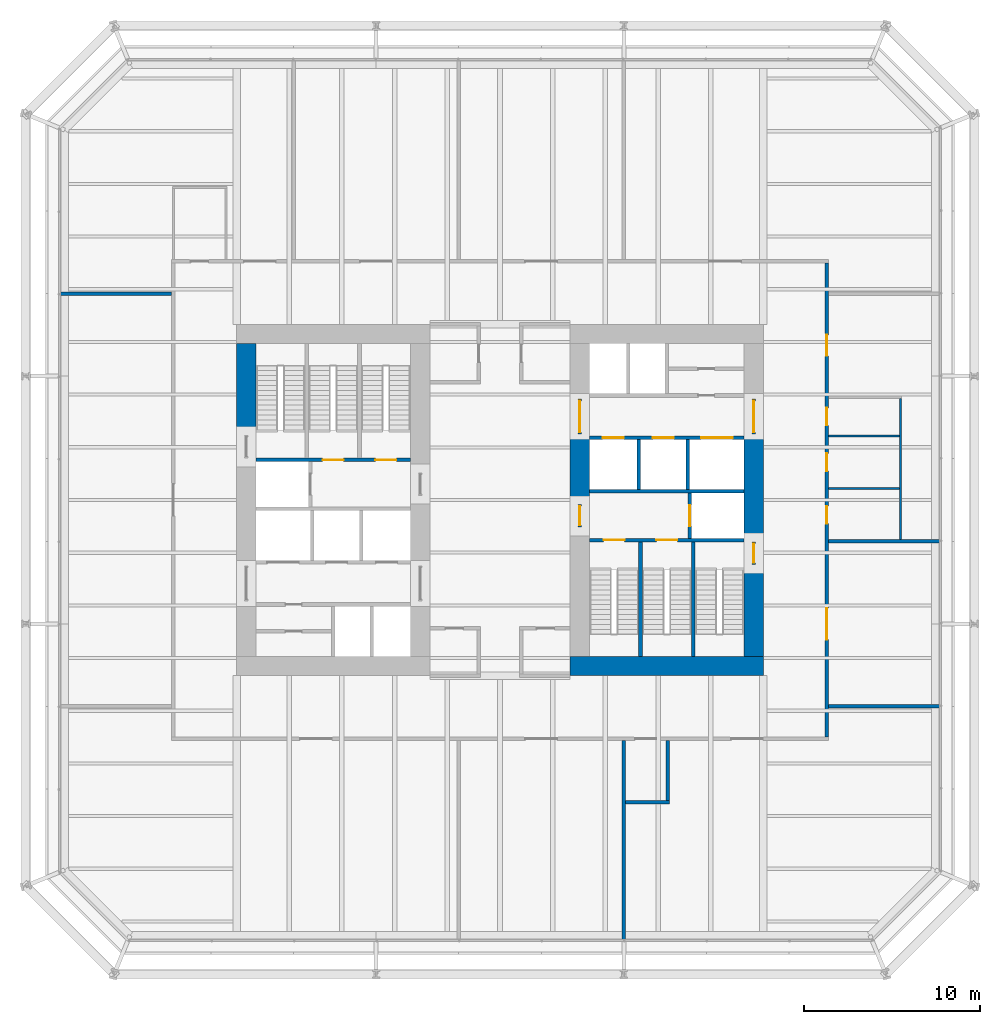
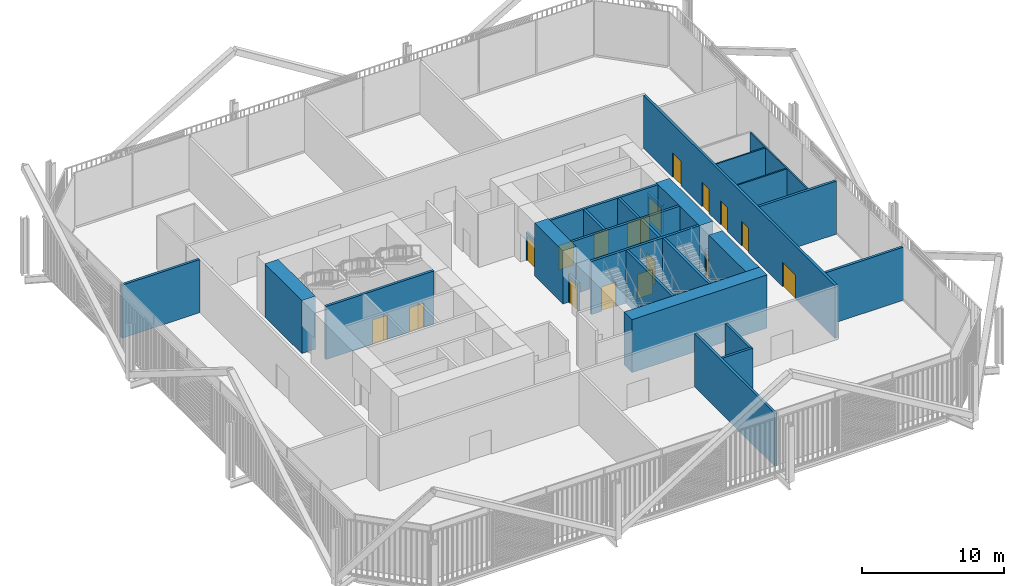
# One storey, part 19 of 22: 28 walls, 17 doors, 17 openings.
"""IFC4 building model written with IfcOpenShell, lengths in metres."""

from ifc_helpers import new_model, si_unit, direction, frame, frame_2d, origin, place, context, subcontext, project, spatial, rectangle, extrude, material, layer, layer_set, type_object, element, fill, save


model = new_model("IFC4")

# Units and contexts
model_context = context("Model", 3, precision=1e-05, world=origin(), true_north=direction((0.0, 1.0)))
body_context = subcontext(model_context, "Body", "Model", "MODEL_VIEW")
ifc_project = project(units=[si_unit("LENGTHUNIT", "METRE"), si_unit("AREAUNIT", "SQUARE_METRE"), si_unit("VOLUMEUNIT", "CUBIC_METRE"), si_unit("PLANEANGLEUNIT", "RADIAN"), si_unit("MASSUNIT", "GRAM", prefix="KILO")], contexts=[model_context])

# Site, building, storey
site_placement = place(None, origin())
site = spatial("IfcSite", under=ifc_project, at=site_placement, CompositionType="ELEMENT")
building_placement = place(site_placement, origin())
building = spatial("IfcBuilding", under=site, at=building_placement, Name="Millrace Tower", CompositionType="ELEMENT")
storey_placement = place(building_placement, frame((0.0, 0.0, 35.300048828125)))
storey = spatial("IfcBuildingStorey", under=building, at=storey_placement, Name="L08", CompositionType="ELEMENT", Elevation=35.300048828125)

# Walls
ifc_material_1 = material(Name="Concrete C80", Category="concrete")
ifc_layer_1 = layer(ifc_material_1, 1.10009765625)
ifc_layer_set_1 = layer_set([ifc_layer_1], Name="Concrete C80")
wall_type_1 = type_object("IfcWallType", Name="Core wall 1100 Concrete C80", PredefinedType="SHEAR", material=ifc_layer_set_1)
wall_1_placement = place(storey_placement, frame((-14.449951171875, 3.679931640625, 0.0), z_axis=(0.0, 0.0, 1.0), x_axis=(0.0, 1.0, 0.0)))
element("IfcWall", 1, at=wall_1_placement, inside=storey, type_object=wall_type_1, Name="Core wall W L08", PredefinedType="SHEAR", context=body_context, shape_type="SweptSolid", body=[
    extrude(rectangle(XDim=5.219970703125, YDim=1.10009765625, at=frame_2d((2.60986328125, 0.0))), origin(), (0.0, 0.0, 1.0), 4.574951171875),
])
wall_2_placement = place(storey_placement, frame((15.0, -9.449951171875, 0.0), z_axis=(0.0, 0.0, 1.0), x_axis=(-1.0, 0.0, 0.0)))
element("IfcWall", 2, at=wall_2_placement, inside=storey, type_object=wall_type_1, Name="Core wall E L08", PredefinedType="SHEAR", context=body_context, shape_type="SweptSolid", body=[
    extrude(rectangle(XDim=11.0, YDim=1.10009765625, at=frame_2d((5.5, 0.0))), origin(), (0.0, 0.0, 1.0), 4.574951171875),
])
wall_3_placement = place(storey_placement, frame((14.449951171875, 3.75, 0.0), z_axis=(0.0, 0.0, 1.0), x_axis=(0.0, -1.0, 0.0)))
element("IfcWall", 3, at=wall_3_placement, inside=storey, type_object=wall_type_1, Name="Core wall E L08", PredefinedType="SHEAR", context=body_context, shape_type="SweptSolid", body=[
    extrude(rectangle(XDim=6.1298828125, YDim=1.10009765625, at=frame_2d((3.06494140625, 0.0))), origin(), (0.0, 0.0, 1.0), 4.574951171875),
])
wall_4_placement = place(storey_placement, frame((14.449951171875, -3.679931640625, 0.0), z_axis=(0.0, 0.0, 1.0), x_axis=(0.0, -1.0, 0.0)))
element("IfcWall", 4, at=wall_4_placement, inside=storey, type_object=wall_type_1, Name="Core wall E L08", PredefinedType="SHEAR", context=body_context, shape_type="SweptSolid", body=[
    extrude(rectangle(XDim=5.219970703125, YDim=1.10009765625, at=frame_2d((2.60986328125, 0.0))), origin(), (0.0, 0.0, 1.0), 4.574951171875),
])
wall_5_placement = place(storey_placement, frame((4.550048828125, 3.75, 0.0), z_axis=(0.0, 0.0, 1.0), x_axis=(0.0, -1.0, 0.0)))
element("IfcWall", 5, at=wall_5_placement, inside=storey, type_object=wall_type_1, Name="Core wall E L08", PredefinedType="SHEAR", context=body_context, shape_type="SweptSolid", body=[
    extrude(rectangle(XDim=4.0, YDim=1.10009765625, at=frame_2d((2.0, 0.0))), origin(), (0.0, 0.0, 1.0), 4.574951171875),
])
ifc_material_2 = material(Name="Masonry partition, fire-rated", Category="masonry")
ifc_layer_2 = layer(ifc_material_2, 0.199951171875)
ifc_layer_set_2 = layer_set([ifc_layer_2], Name="Masonry partition, fire-rated")
wall_type_2 = type_object("IfcWallType", Name="Corridor wall 200", PredefinedType="PARTITIONING", material=ifc_layer_set_2)
wall_6_placement = place(storey_placement, frame((7.14990234375, -17.199951171875, 0.0), z_axis=(0.0, 0.0, 1.0), x_axis=(1.0, 0.0, 0.0)))
element("IfcWall", 6, at=wall_6_placement, inside=storey, type_object=wall_type_2, Name="Corridor wall L08", PredefinedType="PARTITIONING", context=body_context, shape_type="SweptSolid", body=[
    extrude(rectangle(XDim=2.5, YDim=0.199951171875, at=frame_2d((1.25, 0.0))), origin(), (0.0, 0.0, 1.0), 4.574951171875),
])
for number, where, z_axis, x_axis, name in (
    (7, (18.699951171875, -11.75, 0.0), (0.0, 0.0, 1.0), (1.0, 0.0, 0.0), "Corridor wall L08"),
    (8, (18.699951171875, -2.35009765625, 0.0), (0.0, 0.0, 1.0), (1.0, 0.0, 0.0), "Corridor wall L08"),
    (9, (-25.030029296875, 11.75, 0.0), (0.0, 0.0, 1.0), (1.0, 0.0, 0.0), "Corridor wall L08"),
):
    element("IfcWall", number, at=place(storey_placement, frame(where, z_axis=z_axis, x_axis=x_axis)), inside=storey, type_object=wall_type_2, Name=name, PredefinedType="PARTITIONING", context=body_context, shape_type="SweptSolid", body=[
        extrude(rectangle(XDim=6.330078125, YDim=0.199951171875, at=frame_2d((3.1650390625, 0.0))), origin(), (0.0, 0.0, 1.0), 4.574951171875),
    ])

# Wall, openings, doors
wall_7_placement = place(storey_placement, frame((18.60009765625, -13.5, 0.0), z_axis=(0.0, 0.0, 1.0), x_axis=(0.0, 1.0, 0.0)))
wall_7 = element("IfcWall", 10, at=wall_7_placement, inside=storey, type_object=wall_type_2, Name="Corridor wall L08", PredefinedType="PARTITIONING", context=body_context, shape_type="SweptSolid", body=[
    extrude(rectangle(XDim=27.0, YDim=0.199951171875, at=frame_2d((13.5, 0.0))), origin(), (0.0, 0.0, 1.0), 4.574951171875),
])
opening_1_placement = place(wall_7_placement, frame((5.550048828125, 0.0, 0.0)))
opening_1 = element("IfcOpeningElement", 11, at=opening_1_placement, cuts=wall_7, Name="Opening 08-P014", PredefinedType="OPENING", context=body_context, shape_type="SweptSolid", body=[
    extrude(rectangle(XDim=1.800048828125, YDim=2.10009765625, at=frame_2d((0.89990234375, 1.050048828125))), frame((0.0, 0.10986328125, 0.0), z_axis=(0.0, -1.0, 0.0), x_axis=(1.0, 0.0, 0.0)), (0.0, 0.0, 1.0), 0.219970703125),
])
opening_2_placement = place(wall_7_placement, frame((21.699951171875, 0.0, 0.0)))
opening_2 = element("IfcOpeningElement", 12, at=opening_2_placement, cuts=wall_7, Name="Opening 08-P015", PredefinedType="OPENING", context=body_context, shape_type="SweptSolid", body=[
    extrude(rectangle(XDim=1.199951171875, YDim=2.10009765625, at=frame_2d((0.60009765625, 1.050048828125))), frame((0.0, 0.10986328125, 0.0), z_axis=(0.0, -1.0, 0.0), x_axis=(1.0, 0.0, 0.0)), (0.0, 0.0, 1.0), 0.219970703125),
])
opening_3_placement = place(wall_7_placement, frame((12.14990234375, 0.0, 0.0)))
opening_3 = element("IfcOpeningElement", 13, at=opening_3_placement, cuts=wall_7, Name="Opening 08-P017", PredefinedType="OPENING", context=body_context, shape_type="SweptSolid", body=[
    extrude(rectangle(XDim=1.0, YDim=2.10009765625, at=frame_2d((0.5, 1.050048828125))), frame((0.0, 0.10986328125, 0.0), z_axis=(0.0, -1.0, 0.0), x_axis=(1.0, 0.0, 0.0)), (0.0, 0.0, 1.0), 0.219970703125),
])
opening_4_placement = place(wall_7_placement, frame((15.14990234375, 0.0, 0.0)))
opening_4 = element("IfcOpeningElement", 14, at=opening_4_placement, cuts=wall_7, Name="Opening 08-P018", PredefinedType="OPENING", context=body_context, shape_type="SweptSolid", body=[
    extrude(rectangle(XDim=1.0, YDim=2.10009765625, at=frame_2d((0.5, 1.050048828125))), frame((0.0, 0.10986328125, 0.0), z_axis=(0.0, -1.0, 0.0), x_axis=(1.0, 0.0, 0.0)), (0.0, 0.0, 1.0), 0.219970703125),
])
opening_5_placement = place(wall_7_placement, frame((17.75, 0.0, 0.0)))
opening_5 = element("IfcOpeningElement", 15, at=opening_5_placement, cuts=wall_7, Name="Opening 08-P019", PredefinedType="OPENING", context=body_context, shape_type="SweptSolid", body=[
    extrude(rectangle(XDim=1.0, YDim=2.10009765625, at=frame_2d((0.5, 1.050048828125))), frame((0.0, 0.10986328125, 0.0), z_axis=(0.0, -1.0, 0.0), x_axis=(1.0, 0.0, 0.0)), (0.0, 0.0, 1.0), 0.219970703125),
])
ifc_material_3 = material(Name="Steel door set, fire-rated", Category="steel")
door_type_1 = type_object("IfcDoorType", Name="Corridor door 1000 x 2100", OperationType="SINGLE_SWING_LEFT", PredefinedType="DOOR", material=ifc_material_3)
door_1_placement = place(opening_3_placement, frame((1.0, 0.0, 0.0), z_axis=(0.0, 0.0, 1.0), x_axis=(-1.0, 0.0, 0.0)))
door_1 = element("IfcDoor", 16, at=door_1_placement, inside=storey, type_object=door_type_1, Name="Door 08-P017", OperationType="SINGLE_SWING_RIGHT", OverallHeight=2.10009765625, OverallWidth=1.0, PredefinedType="DOOR", context=body_context, shape_type="SweptSolid", body=[
    extrude(rectangle(XDim=1.0, YDim=2.10009765625, at=frame_2d((0.5, 1.050048828125))), frame((0.0, 0.02490234375, 0.0), z_axis=(0.0, -1.0, 0.0), x_axis=(1.0, 0.0, 0.0)), (0.0, 0.0, 1.0), 0.050048828125),
])
fill(opening_3, door_1)
door_2_placement = place(opening_4_placement, frame((1.0, 0.0, 0.0), z_axis=(0.0, 0.0, 1.0), x_axis=(-1.0, 0.0, 0.0)))
door_2 = element("IfcDoor", 17, at=door_2_placement, inside=storey, type_object=door_type_1, Name="Door 08-P018", OperationType="SINGLE_SWING_LEFT", OverallHeight=2.10009765625, OverallWidth=1.0, PredefinedType="DOOR", context=body_context, shape_type="SweptSolid", body=[
    extrude(rectangle(XDim=1.0, YDim=2.10009765625, at=frame_2d((0.5, 1.050048828125))), frame((0.0, 0.02490234375, 0.0), z_axis=(0.0, -1.0, 0.0), x_axis=(1.0, 0.0, 0.0)), (0.0, 0.0, 1.0), 0.050048828125),
])
fill(opening_4, door_2)
door_3_placement = place(opening_5_placement, frame((1.0, 0.0, 0.0), z_axis=(0.0, 0.0, 1.0), x_axis=(-1.0, 0.0, 0.0)))
door_3 = element("IfcDoor", 18, at=door_3_placement, inside=storey, type_object=door_type_1, Name="Door 08-P019", OperationType="SINGLE_SWING_LEFT", OverallHeight=2.10009765625, OverallWidth=1.0, PredefinedType="DOOR", context=body_context, shape_type="SweptSolid", body=[
    extrude(rectangle(XDim=1.0, YDim=2.10009765625, at=frame_2d((0.5, 1.050048828125))), frame((0.0, 0.02490234375, 0.0), z_axis=(0.0, -1.0, 0.0), x_axis=(1.0, 0.0, 0.0)), (0.0, 0.0, 1.0), 0.050048828125),
])
fill(opening_5, door_3)
ifc_material_4 = material(Name="Steel door set, fire-rated", Category="steel")
door_type_2 = type_object("IfcDoorType", Name="Corridor door 1200 x 2100", OperationType="SINGLE_SWING_LEFT", PredefinedType="DOOR", material=ifc_material_4)
door_4_placement = place(opening_2_placement, frame((1.199951171875, 0.0, 0.0), z_axis=(0.0, 0.0, 1.0), x_axis=(-1.0, 0.0, 0.0)))
door_4 = element("IfcDoor", 19, at=door_4_placement, inside=storey, type_object=door_type_2, Name="Door 08-P015", OperationType="SINGLE_SWING_LEFT", OverallHeight=2.10009765625, OverallWidth=1.199951171875, PredefinedType="DOOR", context=body_context, shape_type="SweptSolid", body=[
    extrude(rectangle(XDim=1.199951171875, YDim=2.10009765625, at=frame_2d((0.60009765625, 1.050048828125))), frame((0.0, 0.02490234375, 0.0), z_axis=(0.0, -1.0, 0.0), x_axis=(1.0, 0.0, 0.0)), (0.0, 0.0, 1.0), 0.050048828125),
])
fill(opening_2, door_4)
ifc_material_5 = material(Name="Steel door set, fire-rated", Category="steel")
door_type_3 = type_object("IfcDoorType", Name="Data hall door 1800 x 2100", OperationType="DOUBLE_DOOR_SINGLE_SWING", PredefinedType="DOOR", material=ifc_material_5)
door_5_placement = place(opening_1_placement, frame((1.800048828125, 0.0, 0.0), z_axis=(0.0, 0.0, 1.0), x_axis=(-1.0, 0.0, 0.0)))
door_5 = element("IfcDoor", 20, at=door_5_placement, inside=storey, type_object=door_type_3, Name="Door 08-P014", OperationType="DOUBLE_DOOR_SINGLE_SWING", OverallHeight=2.10009765625, OverallWidth=1.800048828125, PredefinedType="DOOR", context=body_context, shape_type="SweptSolid", body=[
    extrude(rectangle(XDim=1.800048828125, YDim=2.10009765625, at=frame_2d((0.89990234375, 1.050048828125))), frame((0.0, 0.02490234375, 0.0), z_axis=(0.0, -1.0, 0.0), x_axis=(1.0, 0.0, 0.0)), (0.0, 0.0, 1.0), 0.050048828125),
])
fill(opening_1, door_5)

# Walls
wall_8_placement = place(storey_placement, frame((9.550048828125, -17.10009765625, 0.0), z_axis=(0.0, 0.0, 1.0), x_axis=(0.0, 1.0, 0.0)))
element("IfcWall", 21, at=wall_8_placement, inside=storey, type_object=wall_type_2, Name="Corridor wall L08", PredefinedType="PARTITIONING", context=body_context, shape_type="SweptSolid", body=[
    extrude(rectangle(XDim=3.400146484375, YDim=0.199951171875, at=frame_2d((1.7001953125, 0.0))), origin(), (0.0, 0.0, 1.0), 4.574951171875),
])
wall_9_placement = place(storey_placement, frame((7.050048828125, -25.030029296875, 0.0), z_axis=(0.0, 0.0, 1.0), x_axis=(0.0, 1.0, 0.0)))
element("IfcWall", 22, at=wall_9_placement, inside=storey, type_object=wall_type_2, Name="Corridor wall L08", PredefinedType="PARTITIONING", context=body_context, shape_type="SweptSolid", body=[
    extrude(rectangle(XDim=11.330078125, YDim=0.199951171875, at=frame_2d((5.6650390625, 0.0))), origin(), (0.0, 0.0, 1.0), 4.574951171875),
])

# Wall, openings, doors
ifc_material_6 = material(Name="Masonry partition, fire-rated", Category="masonry")
ifc_layer_3 = layer(ifc_material_6, 0.199951171875)
ifc_layer_set_3 = layer_set([ifc_layer_3], Name="Masonry partition, fire-rated")
wall_type_3 = type_object("IfcWallType", Name="Lift shaft wall 200", PredefinedType="PARTITIONING", material=ifc_layer_set_3)
wall_10_placement = place(storey_placement, frame((13.89990234375, 3.550048828125, 0.0), z_axis=(0.0, 0.0, 1.0), x_axis=(-1.0, 0.0, 0.0)))
wall_10 = element("IfcWall", 23, at=wall_10_placement, inside=storey, type_object=wall_type_3, Name="Lift shaft wall E L08", PredefinedType="PARTITIONING", context=body_context, shape_type="SweptSolid", body=[
    extrude(rectangle(XDim=8.7998046875, YDim=0.199951171875, at=frame_2d((4.39990234375, 0.0))), origin(), (0.0, 0.0, 1.0), 4.574951171875),
])
opening_6_placement = place(wall_10_placement, frame((0.64990234375, 0.0, 0.0)))
opening_6 = element("IfcOpeningElement", 24, at=opening_6_placement, cuts=wall_10, Name="Opening 08-LD13", PredefinedType="OPENING", context=body_context, shape_type="SweptSolid", body=[
    extrude(rectangle(XDim=1.800048828125, YDim=2.10009765625, at=frame_2d((0.89990234375, 1.050048828125))), frame((0.0, 0.10986328125, 0.0), z_axis=(0.0, -1.0, 0.0), x_axis=(1.0, 0.0, 0.0)), (0.0, 0.0, 1.0), 0.219970703125),
])
opening_7_placement = place(wall_10_placement, frame((4.0, 0.0, 0.0)))
opening_7 = element("IfcOpeningElement", 25, at=opening_7_placement, cuts=wall_10, Name="Opening 08-LD14", PredefinedType="OPENING", context=body_context, shape_type="SweptSolid", body=[
    extrude(rectangle(XDim=1.199951171875, YDim=2.10009765625, at=frame_2d((0.60009765625, 1.050048828125))), frame((0.0, 0.10986328125, 0.0), z_axis=(0.0, -1.0, 0.0), x_axis=(1.0, 0.0, 0.0)), (0.0, 0.0, 1.0), 0.219970703125),
])
opening_8_placement = place(wall_10_placement, frame((6.85009765625, 0.0, 0.0)))
opening_8 = element("IfcOpeningElement", 26, at=opening_8_placement, cuts=wall_10, Name="Opening 08-LD15", PredefinedType="OPENING", context=body_context, shape_type="SweptSolid", body=[
    extrude(rectangle(XDim=1.199951171875, YDim=2.10009765625, at=frame_2d((0.60009765625, 1.050048828125))), frame((0.0, 0.10986328125, 0.0), z_axis=(0.0, -1.0, 0.0), x_axis=(1.0, 0.0, 0.0)), (0.0, 0.0, 1.0), 0.219970703125),
])
ifc_material_7 = material(Name="Stainless steel, fire-rated", Category="steel")
door_type_4 = type_object("IfcDoorType", Name="Lift landing door 1200 x 2100", OperationType="DOUBLE_DOOR_SLIDING", PredefinedType="DOOR", material=ifc_material_7)
door_6_placement = place(opening_7_placement, origin())
door_6 = element("IfcDoor", 27, at=door_6_placement, inside=storey, type_object=door_type_4, Name="Lift landing door LF14 L08", OperationType="DOUBLE_DOOR_SLIDING", OverallHeight=2.10009765625, OverallWidth=1.199951171875, PredefinedType="DOOR", context=body_context, shape_type="SweptSolid", body=[
    extrude(rectangle(XDim=1.199951171875, YDim=2.10009765625, at=frame_2d((0.60009765625, 1.050048828125))), frame((0.0, 0.02490234375, 0.0), z_axis=(0.0, -1.0, 0.0), x_axis=(1.0, 0.0, 0.0)), (0.0, 0.0, 1.0), 0.050048828125),
])
fill(opening_7, door_6)
door_7_placement = place(opening_8_placement, origin())
door_7 = element("IfcDoor", 28, at=door_7_placement, inside=storey, type_object=door_type_4, Name="Lift landing door LF15 L08", OperationType="DOUBLE_DOOR_SLIDING", OverallHeight=2.10009765625, OverallWidth=1.199951171875, PredefinedType="DOOR", context=body_context, shape_type="SweptSolid", body=[
    extrude(rectangle(XDim=1.199951171875, YDim=2.10009765625, at=frame_2d((0.60009765625, 1.050048828125))), frame((0.0, 0.02490234375, 0.0), z_axis=(0.0, -1.0, 0.0), x_axis=(1.0, 0.0, 0.0)), (0.0, 0.0, 1.0), 0.050048828125),
])
fill(opening_8, door_7)
ifc_material_8 = material(Name="Stainless steel, fire-rated", Category="steel")
door_type_5 = type_object("IfcDoorType", Name="Lift landing door 1800 x 2100", OperationType="DOUBLE_DOOR_SLIDING", PredefinedType="DOOR", material=ifc_material_8)
door_8_placement = place(opening_6_placement, origin())
door_8 = element("IfcDoor", 29, at=door_8_placement, inside=storey, type_object=door_type_5, Name="Lift landing door LF13 L08", OperationType="DOUBLE_DOOR_SLIDING", OverallHeight=2.10009765625, OverallWidth=1.800048828125, PredefinedType="DOOR", context=body_context, shape_type="SweptSolid", body=[
    extrude(rectangle(XDim=1.800048828125, YDim=2.10009765625, at=frame_2d((0.89990234375, 1.050048828125))), frame((0.0, 0.02490234375, 0.0), z_axis=(0.0, -1.0, 0.0), x_axis=(1.0, 0.0, 0.0)), (0.0, 0.0, 1.0), 0.050048828125),
])
fill(opening_6, door_8)

# Wall
wall_11_placement = place(storey_placement, frame((13.89990234375, 0.5, 0.0), z_axis=(0.0, 0.0, 1.0), x_axis=(-1.0, 0.0, 0.0)))
element("IfcWall", 30, at=wall_11_placement, inside=storey, type_object=wall_type_3, Name="Lift shaft wall E L08", PredefinedType="PARTITIONING", context=body_context, shape_type="SweptSolid", body=[
    extrude(rectangle(XDim=8.7998046875, YDim=0.199951171875, at=frame_2d((4.39990234375, 0.0))), origin(), (0.0, 0.0, 1.0), 4.574951171875),
])

# Wall, opening, door
wall_12_placement = place(storey_placement, frame((10.800048828125, 0.39990234375, 0.0), z_axis=(0.0, 0.0, 1.0), x_axis=(0.0, -1.0, 0.0)))
wall_12 = element("IfcWall", 31, at=wall_12_placement, inside=storey, type_object=wall_type_3, Name="Lift shaft wall E L08", PredefinedType="PARTITIONING", context=body_context, shape_type="SweptSolid", body=[
    extrude(rectangle(XDim=2.579833984375, YDim=0.199951171875, at=frame_2d((1.2900390625, 0.0))), origin(), (0.0, 0.0, 1.0), 4.574951171875),
])
opening_9_placement = place(wall_12_placement, frame((0.68994140625, 0.0, 0.0)))
opening_9 = element("IfcOpeningElement", 32, at=opening_9_placement, cuts=wall_12, Name="Opening 08-LD16", PredefinedType="OPENING", context=body_context, shape_type="SweptSolid", body=[
    extrude(rectangle(XDim=1.199951171875, YDim=2.10009765625, at=frame_2d((0.60009765625, 1.050048828125))), frame((0.0, 0.10986328125, 0.0), z_axis=(0.0, -1.0, 0.0), x_axis=(1.0, 0.0, 0.0)), (0.0, 0.0, 1.0), 0.219970703125),
])
door_9_placement = place(opening_9_placement, origin())
door_9 = element("IfcDoor", 33, at=door_9_placement, inside=storey, type_object=door_type_4, Name="Lift landing door LF16 L08", OperationType="DOUBLE_DOOR_SLIDING", OverallHeight=2.10009765625, OverallWidth=1.199951171875, PredefinedType="DOOR", context=body_context, shape_type="SweptSolid", body=[
    extrude(rectangle(XDim=1.199951171875, YDim=2.10009765625, at=frame_2d((0.60009765625, 1.050048828125))), frame((0.0, 0.02490234375, 0.0), z_axis=(0.0, -1.0, 0.0), x_axis=(1.0, 0.0, 0.0)), (0.0, 0.0, 1.0), 0.050048828125),
])
fill(opening_9, door_9)

# Walls
for number, where, z_axis, x_axis, name in (
    (34, (10.699951171875, 3.449951171875, 0.0), (0.0, 0.0, 1.0), (0.0, -1.0, 0.0), "Lift shaft wall E L08"),
    (35, (7.89990234375, 3.449951171875, 0.0), (0.0, 0.0, 1.0), (0.0, -1.0, 0.0), "Lift shaft wall E L08"),
):
    element("IfcWall", number, at=place(storey_placement, frame(where, z_axis=z_axis, x_axis=x_axis)), inside=storey, type_object=wall_type_3, Name=name, PredefinedType="PARTITIONING", context=body_context, shape_type="SweptSolid", body=[
        extrude(rectangle(XDim=2.849853515625, YDim=0.199951171875, at=frame_2d((1.4248046875, 0.0))), origin(), (0.0, 0.0, 1.0), 4.574951171875),
    ])

# Wall, opening, door
ifc_material_9 = material(Name="Masonry partition, fire-rated", Category="masonry")
ifc_layer_4 = layer(ifc_material_9, 0.199951171875)
ifc_layer_set_4 = layer_set([ifc_layer_4], Name="Masonry partition, fire-rated")
wall_type_4 = type_object("IfcWallType", Name="Lobby wall 200", PredefinedType="PARTITIONING", material=ifc_layer_set_4)
wall_13_placement = place(storey_placement, frame((14.449951171875, 5.75, 0.0), z_axis=(0.0, 0.0, 1.0), x_axis=(0.0, -1.0, 0.0)))
wall_13 = element("IfcWall", 36, at=wall_13_placement, inside=storey, type_object=wall_type_4, Name="Lobby wall E L08", PredefinedType="PARTITIONING", context=body_context, shape_type="SweptSolid", body=[
    extrude(rectangle(XDim=2.0, YDim=0.199951171875, at=frame_2d((1.0, 0.0))), origin(), (0.0, 0.0, 1.0), 2.39990234375),
])
opening_10_placement = place(wall_13_placement, frame((0.10009765625, 0.0, 0.0)))
opening_10 = element("IfcOpeningElement", 37, at=opening_10_placement, cuts=wall_13, Name="Opening 08-C009", PredefinedType="OPENING", context=body_context, shape_type="SweptSolid", body=[
    extrude(rectangle(XDim=1.800048828125, YDim=2.10009765625, at=frame_2d((0.89990234375, 1.050048828125))), frame((0.0, 0.10986328125, 0.0), z_axis=(0.0, -1.0, 0.0), x_axis=(1.0, 0.0, 0.0)), (0.0, 0.0, 1.0), 0.219970703125),
])
ifc_material_10 = material(Name="Steel door, fire-rated", Category="steel")
door_type_6 = type_object("IfcDoorType", Name="Lobby door 1800 x 2100", OperationType="DOUBLE_DOOR_SINGLE_SWING", PredefinedType="DOOR", material=ifc_material_10)
door_10_placement = place(opening_10_placement, origin())
door_10 = element("IfcDoor", 38, at=door_10_placement, inside=storey, type_object=door_type_6, Name="Lobby door 08-C009", OperationType="DOUBLE_DOOR_SINGLE_SWING", OverallHeight=2.10009765625, OverallWidth=1.800048828125, PredefinedType="DOOR", context=body_context, shape_type="SweptSolid", body=[
    extrude(rectangle(XDim=1.800048828125, YDim=2.10009765625, at=frame_2d((0.89990234375, 1.050048828125))), frame((0.0, 0.02490234375, 0.0), z_axis=(0.0, -1.0, 0.0), x_axis=(1.0, 0.0, 0.0)), (0.0, 0.0, 1.0), 0.050048828125),
])
fill(opening_10, door_10)

wall_14_placement = place(storey_placement, frame((4.550048828125, 5.75, 0.0), z_axis=(0.0, 0.0, 1.0), x_axis=(0.0, -1.0, 0.0)))
wall_14 = element("IfcWall", 39, at=wall_14_placement, inside=storey, type_object=wall_type_4, Name="Lobby wall E L08", PredefinedType="PARTITIONING", context=body_context, shape_type="SweptSolid", body=[
    extrude(rectangle(XDim=2.0, YDim=0.199951171875, at=frame_2d((1.0, 0.0))), origin(), (0.0, 0.0, 1.0), 2.39990234375),
])
opening_11_placement = place(wall_14_placement, frame((0.10009765625, 0.0, 0.0)))
opening_11 = element("IfcOpeningElement", 40, at=opening_11_placement, cuts=wall_14, Name="Opening 08-C011", PredefinedType="OPENING", context=body_context, shape_type="SweptSolid", body=[
    extrude(rectangle(XDim=1.800048828125, YDim=2.10009765625, at=frame_2d((0.89990234375, 1.050048828125))), frame((0.0, 0.10986328125, 0.0), z_axis=(0.0, -1.0, 0.0), x_axis=(1.0, 0.0, 0.0)), (0.0, 0.0, 1.0), 0.219970703125),
])
door_11_placement = place(opening_11_placement, origin())
door_11 = element("IfcDoor", 41, at=door_11_placement, inside=storey, type_object=door_type_6, Name="Lobby door 08-C011", OperationType="DOUBLE_DOOR_SINGLE_SWING", OverallHeight=2.10009765625, OverallWidth=1.800048828125, PredefinedType="DOOR", context=body_context, shape_type="SweptSolid", body=[
    extrude(rectangle(XDim=1.800048828125, YDim=2.10009765625, at=frame_2d((0.89990234375, 1.050048828125))), frame((0.0, 0.02490234375, 0.0), z_axis=(0.0, -1.0, 0.0), x_axis=(1.0, 0.0, 0.0)), (0.0, 0.0, 1.0), 0.050048828125),
])
fill(opening_11, door_11)

wall_15_placement = place(storey_placement, frame((4.550048828125, -0.25, 0.0), z_axis=(0.0, 0.0, 1.0), x_axis=(0.0, -1.0, 0.0)))
wall_15 = element("IfcWall", 42, at=wall_15_placement, inside=storey, type_object=wall_type_4, Name="Lobby wall E L08", PredefinedType="PARTITIONING", context=body_context, shape_type="SweptSolid", body=[
    extrude(rectangle(XDim=1.300048828125, YDim=0.199951171875, at=frame_2d((0.64990234375, 0.0))), origin(), (0.0, 0.0, 1.0), 2.39990234375),
])
opening_12_placement = place(wall_15_placement, frame((0.10009765625, 0.0, 0.0)))
opening_12 = element("IfcOpeningElement", 43, at=opening_12_placement, cuts=wall_15, Name="Opening 08-C012", PredefinedType="OPENING", context=body_context, shape_type="SweptSolid", body=[
    extrude(rectangle(XDim=1.10009765625, YDim=2.10009765625, at=frame_2d((0.550048828125, 1.050048828125))), frame((0.0, 0.10986328125, 0.0), z_axis=(0.0, -1.0, 0.0), x_axis=(1.0, 0.0, 0.0)), (0.0, 0.0, 1.0), 0.219970703125),
])
ifc_material_11 = material(Name="Steel door, fire-rated", Category="steel")
door_type_7 = type_object("IfcDoorType", Name="Lobby door 1100 x 2100", OperationType="SINGLE_SWING_LEFT", PredefinedType="DOOR", material=ifc_material_11)
door_12_placement = place(opening_12_placement, origin())
door_12 = element("IfcDoor", 44, at=door_12_placement, inside=storey, type_object=door_type_7, Name="Lobby door 08-C012", OperationType="SINGLE_SWING_LEFT", OverallHeight=2.10009765625, OverallWidth=1.10009765625, PredefinedType="DOOR", context=body_context, shape_type="SweptSolid", body=[
    extrude(rectangle(XDim=1.10009765625, YDim=2.10009765625, at=frame_2d((0.550048828125, 1.050048828125))), frame((0.0, 0.02490234375, 0.0), z_axis=(0.0, -1.0, 0.0), x_axis=(1.0, 0.0, 0.0)), (0.0, 0.0, 1.0), 0.050048828125),
])
fill(opening_12, door_12)

# Walls
ifc_material_12 = material(Name="Gypsum board partition")
ifc_layer_5 = layer(ifc_material_12, 0.1201171875)
ifc_layer_set_5 = layer_set([ifc_layer_5], Name="Gypsum board partition")
wall_type_5 = type_object("IfcWallType", Name="Partition wall 120", PredefinedType="PARTITIONING", material=ifc_layer_set_5)
for number, where, z_axis, x_axis, name in (
    (45, (18.699951171875, 0.64990234375, 0.0), (0.0, 0.0, 1.0), (1.0, 0.0, 0.0), "Partition wall L08"),
    (46, (18.699951171875, 3.64990234375, 0.0), (0.0, 0.0, 1.0), (1.0, 0.0, 0.0), "Partition wall L08"),
):
    element("IfcWall", number, at=place(storey_placement, frame(where, z_axis=z_axis, x_axis=x_axis)), inside=storey, type_object=wall_type_5, Name=name, PredefinedType="PARTITIONING", context=body_context, shape_type="SweptSolid", body=[
        extrude(rectangle(XDim=4.0400390625, YDim=0.1201171875, at=frame_2d((2.02001953125, 0.0))), origin(), (0.0, 0.0, 1.0), 4.574951171875),
    ])
wall_16_placement = place(storey_placement, frame((22.800048828125, -2.25, 0.0), z_axis=(0.0, 0.0, 1.0), x_axis=(0.0, 1.0, 0.0)))
element("IfcWall", 47, at=wall_16_placement, inside=storey, type_object=wall_type_5, Name="Partition wall L08", PredefinedType="PARTITIONING", context=body_context, shape_type="SweptSolid", body=[
    extrude(rectangle(XDim=8.0400390625, YDim=0.1201171875, at=frame_2d((4.02001953125, 0.0))), origin(), (0.0, 0.0, 1.0), 4.574951171875),
])

# Wall, openings, doors
ifc_material_13 = material(Name="Concrete C40", Category="concrete")
ifc_layer_6 = layer(ifc_material_13, 0.199951171875)
ifc_layer_set_6 = layer_set([ifc_layer_6], Name="Concrete C40")
wall_type_6 = type_object("IfcWallType", Name="Stair enclosure wall 200 Concrete C40", PredefinedType="SHEAR", material=ifc_layer_set_6)
wall_17_placement = place(storey_placement, frame((-13.89990234375, 2.280029296875, 0.0), z_axis=(0.0, 0.0, 1.0), x_axis=(1.0, 0.0, 0.0)))
wall_17 = element("IfcWall", 48, at=wall_17_placement, inside=storey, type_object=wall_type_6, Name="Stair enclosure wall W L08", PredefinedType="SHEAR", context=body_context, shape_type="SweptSolid", body=[
    extrude(rectangle(XDim=8.7998046875, YDim=0.199951171875, at=frame_2d((4.39990234375, 0.0))), origin(), (0.0, 0.0, 1.0), 4.574951171875),
])
opening_13_placement = place(wall_17_placement, frame((3.800048828125, 0.0, 0.0)))
opening_13 = element("IfcOpeningElement", 49, at=opening_13_placement, cuts=wall_17, Name="Opening 08-C007", PredefinedType="OPENING", context=body_context, shape_type="SweptSolid", body=[
    extrude(rectangle(XDim=1.199951171875, YDim=2.10009765625, at=frame_2d((0.60009765625, 1.050048828125))), frame((0.0, 0.10986328125, 0.0), z_axis=(0.0, -1.0, 0.0), x_axis=(1.0, 0.0, 0.0)), (0.0, 0.0, 1.0), 0.219970703125),
])
opening_14_placement = place(wall_17_placement, frame((6.800048828125, 0.0, 0.0)))
opening_14 = element("IfcOpeningElement", 50, at=opening_14_placement, cuts=wall_17, Name="Opening 08-C008", PredefinedType="OPENING", context=body_context, shape_type="SweptSolid", body=[
    extrude(rectangle(XDim=1.199951171875, YDim=2.10009765625, at=frame_2d((0.60009765625, 1.050048828125))), frame((0.0, 0.10986328125, 0.0), z_axis=(0.0, -1.0, 0.0), x_axis=(1.0, 0.0, 0.0)), (0.0, 0.0, 1.0), 0.219970703125),
])
ifc_material_14 = material(Name="Steel door, fire-rated", Category="steel")
door_type_8 = type_object("IfcDoorType", Name="Stair door 1200 x 2100", OperationType="SINGLE_SWING_LEFT", PredefinedType="DOOR", material=ifc_material_14)
door_13_placement = place(opening_13_placement, frame((1.199951171875, 0.0, 0.0), z_axis=(0.0, 0.0, 1.0), x_axis=(-1.0, 0.0, 0.0)))
door_13 = element("IfcDoor", 51, at=door_13_placement, inside=storey, type_object=door_type_8, Name="Stair door 08-C007", OperationType="SINGLE_SWING_LEFT", OverallHeight=2.10009765625, OverallWidth=1.199951171875, PredefinedType="DOOR", context=body_context, shape_type="SweptSolid", body=[
    extrude(rectangle(XDim=1.199951171875, YDim=2.10009765625, at=frame_2d((0.60009765625, 1.050048828125))), frame((0.0, 0.02490234375, 0.0), z_axis=(0.0, -1.0, 0.0), x_axis=(1.0, 0.0, 0.0)), (0.0, 0.0, 1.0), 0.050048828125),
])
fill(opening_13, door_13)
door_14_placement = place(opening_14_placement, frame((1.199951171875, 0.0, 0.0), z_axis=(0.0, 0.0, 1.0), x_axis=(-1.0, 0.0, 0.0)))
door_14 = element("IfcDoor", 52, at=door_14_placement, inside=storey, type_object=door_type_8, Name="Stair door 08-C008", OperationType="SINGLE_SWING_LEFT", OverallHeight=2.10009765625, OverallWidth=1.199951171875, PredefinedType="DOOR", context=body_context, shape_type="SweptSolid", body=[
    extrude(rectangle(XDim=1.199951171875, YDim=2.10009765625, at=frame_2d((0.60009765625, 1.050048828125))), frame((0.0, 0.02490234375, 0.0), z_axis=(0.0, -1.0, 0.0), x_axis=(1.0, 0.0, 0.0)), (0.0, 0.0, 1.0), 0.050048828125),
])
fill(opening_14, door_14)

# Wall, opening, door
wall_18_placement = place(storey_placement, frame((14.449951171875, -2.3798828125, 0.0), z_axis=(0.0, 0.0, 1.0), x_axis=(0.0, -1.0, 0.0)))
wall_18 = element("IfcWall", 53, at=wall_18_placement, inside=storey, type_object=wall_type_6, Name="Stair enclosure wall E L08", PredefinedType="SHEAR", context=body_context, shape_type="SweptSolid", body=[
    extrude(rectangle(XDim=1.300048828125, YDim=0.199951171875, at=frame_2d((0.64990234375, 0.0))), origin(), (0.0, 0.0, 1.0), 2.39990234375),
])
opening_15_placement = place(wall_18_placement, frame((0.10009765625, 0.0, 0.0)))
opening_15 = element("IfcOpeningElement", 54, at=opening_15_placement, cuts=wall_18, Name="Opening 08-C010", PredefinedType="OPENING", context=body_context, shape_type="SweptSolid", body=[
    extrude(rectangle(XDim=1.10009765625, YDim=2.10009765625, at=frame_2d((0.550048828125, 1.050048828125))), frame((0.0, 0.10986328125, 0.0), z_axis=(0.0, -1.0, 0.0), x_axis=(1.0, 0.0, 0.0)), (0.0, 0.0, 1.0), 0.219970703125),
])
ifc_material_15 = material(Name="Steel door, fire-rated", Category="steel")
door_type_9 = type_object("IfcDoorType", Name="Stair door 1100 x 2100", OperationType="SINGLE_SWING_LEFT", PredefinedType="DOOR", material=ifc_material_15)
door_15_placement = place(opening_15_placement, origin())
door_15 = element("IfcDoor", 55, at=door_15_placement, inside=storey, type_object=door_type_9, Name="Stair door 08-C010", OperationType="SINGLE_SWING_RIGHT", OverallHeight=2.10009765625, OverallWidth=1.10009765625, PredefinedType="DOOR", context=body_context, shape_type="SweptSolid", body=[
    extrude(rectangle(XDim=1.10009765625, YDim=2.10009765625, at=frame_2d((0.550048828125, 1.050048828125))), frame((0.0, 0.02490234375, 0.0), z_axis=(0.0, -1.0, 0.0), x_axis=(1.0, 0.0, 0.0)), (0.0, 0.0, 1.0), 0.050048828125),
])
fill(opening_15, door_15)

# Wall, openings, doors
wall_19_placement = place(storey_placement, frame((13.89990234375, -2.280029296875, 0.0), z_axis=(0.0, 0.0, 1.0), x_axis=(-1.0, 0.0, 0.0)))
wall_19 = element("IfcWall", 56, at=wall_19_placement, inside=storey, type_object=wall_type_6, Name="Stair enclosure wall E L08", PredefinedType="SHEAR", context=body_context, shape_type="SweptSolid", body=[
    extrude(rectangle(XDim=8.7998046875, YDim=0.199951171875, at=frame_2d((4.39990234375, 0.0))), origin(), (0.0, 0.0, 1.0), 4.574951171875),
])
opening_16_placement = place(wall_19_placement, frame((3.800048828125, 0.0, 0.0)))
opening_16 = element("IfcOpeningElement", 57, at=opening_16_placement, cuts=wall_19, Name="Opening 08-C015", PredefinedType="OPENING", context=body_context, shape_type="SweptSolid", body=[
    extrude(rectangle(XDim=1.199951171875, YDim=2.10009765625, at=frame_2d((0.60009765625, 1.050048828125))), frame((0.0, 0.10986328125, 0.0), z_axis=(0.0, -1.0, 0.0), x_axis=(1.0, 0.0, 0.0)), (0.0, 0.0, 1.0), 0.219970703125),
])
opening_17_placement = place(wall_19_placement, frame((6.800048828125, 0.0, 0.0)))
opening_17 = element("IfcOpeningElement", 58, at=opening_17_placement, cuts=wall_19, Name="Opening 08-C016", PredefinedType="OPENING", context=body_context, shape_type="SweptSolid", body=[
    extrude(rectangle(XDim=1.199951171875, YDim=2.10009765625, at=frame_2d((0.60009765625, 1.050048828125))), frame((0.0, 0.10986328125, 0.0), z_axis=(0.0, -1.0, 0.0), x_axis=(1.0, 0.0, 0.0)), (0.0, 0.0, 1.0), 0.219970703125),
])
door_16_placement = place(opening_16_placement, frame((1.199951171875, 0.0, 0.0), z_axis=(0.0, 0.0, 1.0), x_axis=(-1.0, 0.0, 0.0)))
door_16 = element("IfcDoor", 59, at=door_16_placement, inside=storey, type_object=door_type_8, Name="Stair door 08-C015", OperationType="SINGLE_SWING_LEFT", OverallHeight=2.10009765625, OverallWidth=1.199951171875, PredefinedType="DOOR", context=body_context, shape_type="SweptSolid", body=[
    extrude(rectangle(XDim=1.199951171875, YDim=2.10009765625, at=frame_2d((0.60009765625, 1.050048828125))), frame((0.0, 0.02490234375, 0.0), z_axis=(0.0, -1.0, 0.0), x_axis=(1.0, 0.0, 0.0)), (0.0, 0.0, 1.0), 0.050048828125),
])
fill(opening_16, door_16)
door_17_placement = place(opening_17_placement, frame((1.199951171875, 0.0, 0.0), z_axis=(0.0, 0.0, 1.0), x_axis=(-1.0, 0.0, 0.0)))
door_17 = element("IfcDoor", 60, at=door_17_placement, inside=storey, type_object=door_type_8, Name="Stair door 08-C016", OperationType="SINGLE_SWING_LEFT", OverallHeight=2.10009765625, OverallWidth=1.199951171875, PredefinedType="DOOR", context=body_context, shape_type="SweptSolid", body=[
    extrude(rectangle(XDim=1.199951171875, YDim=2.10009765625, at=frame_2d((0.60009765625, 1.050048828125))), frame((0.0, 0.02490234375, 0.0), z_axis=(0.0, -1.0, 0.0), x_axis=(1.0, 0.0, 0.0)), (0.0, 0.0, 1.0), 0.050048828125),
])
fill(opening_17, door_17)

# Walls
for number, where, z_axis, x_axis, name in (
    (61, (11.0, -2.3798828125, 0.0), (0.0, 0.0, 1.0), (0.0, -1.0, 0.0), "Stair enclosure wall E L08"),
    (62, (8.0, -2.3798828125, 0.0), (0.0, 0.0, 1.0), (0.0, -1.0, 0.0), "Stair enclosure wall E L08"),
):
    element("IfcWall", number, at=place(storey_placement, frame(where, z_axis=z_axis, x_axis=x_axis)), inside=storey, type_object=wall_type_6, Name=name, PredefinedType="SHEAR", context=body_context, shape_type="SweptSolid", body=[
        extrude(rectangle(XDim=6.52001953125, YDim=0.199951171875, at=frame_2d((3.260009765625, 0.0))), origin(), (0.0, 0.0, 1.0), 4.574951171875),
    ])

save(model, "model.ifc")
